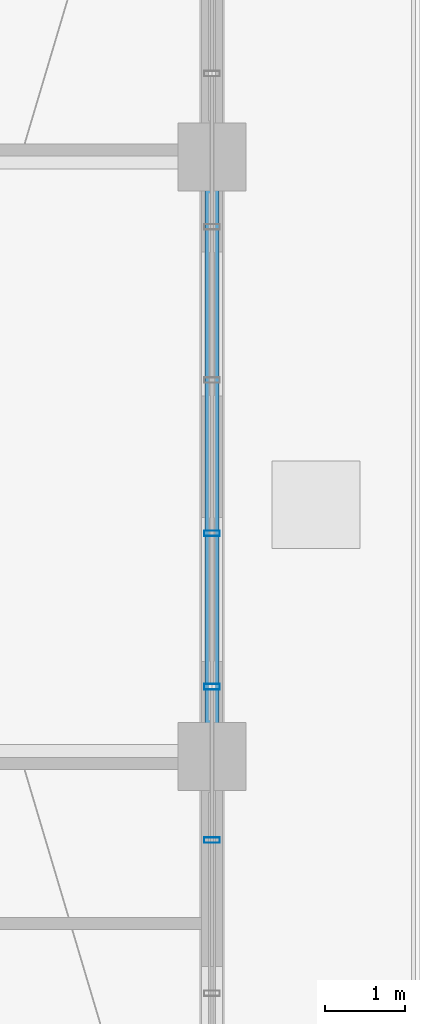
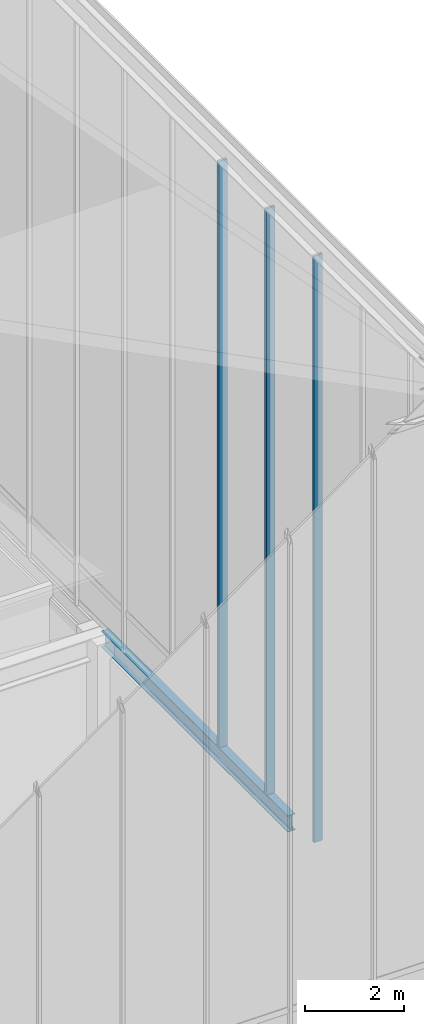
# One storey, part 33 of 49: 3 members, 1 beam, 1 element without a shape of its own.
"""IFC4 building model written with IfcOpenShell, lengths in metres."""

from ifc_helpers import new_model, si_unit, direction, frame, origin, origin_2d, place, context, subcontext, project, spatial, hollow_rectangle, i_section, extrude, source, transform, mapped, material, layer, layer_set, material_profile, profile_set, type_object, element, aggregate, save


model = new_model("IFC4")

# Units and contexts
model_context = context("Model", 3, precision=1e-05, world=origin(), true_north=direction((0.0, 1.0)))
body_context = subcontext(model_context, "Body", "Model", "MODEL_VIEW")
ifc_project = project(units=[si_unit("LENGTHUNIT", "METRE"), si_unit("AREAUNIT", "SQUARE_METRE"), si_unit("VOLUMEUNIT", "CUBIC_METRE"), si_unit("PLANEANGLEUNIT", "RADIAN"), si_unit("MASSUNIT", "GRAM", prefix="KILO")], contexts=[model_context])

# Site, building, storey
site_placement = place(None, origin())
site = spatial("IfcSite", under=ifc_project, at=site_placement, CompositionType="ELEMENT")
building_placement = place(site_placement, origin())
building = spatial("IfcBuilding", under=site, at=building_placement, Name="Kaliganga Portal Commons", CompositionType="ELEMENT")
storey_placement = place(building_placement, frame((0.0, 0.0, 298.0)))
storey = spatial("IfcBuildingStorey", under=building, at=storey_placement, Name="L77", CompositionType="ELEMENT", Elevation=298.0)

# Beam
ifc_material_1 = material(Name="Structural steel S355J2", Category="steel")
ifc_material_profile_1 = material_profile(ifc_material_1, i_section(OverallWidth=0.179931640625, OverallDepth=0.39990234375, WebThickness=0.008544921875, FlangeThickness=0.013427734375, FilletRadius=0.02099609375, at=origin_2d()), Name="IPE 400")
ifc_profile_set_1 = profile_set([ifc_material_profile_1], Name="Structural steel S355J2 wide-flange")
beam_type = type_object("IfcBeamType", Name="BM-FLR-400", PredefinedType="BEAM", material=ifc_profile_set_1)
shared_shape_1 = source(origin(), body_context, "Body", "SweptSolid", [
    extrude(i_section(OverallWidth=0.179931640625, OverallDepth=0.39990234375, WebThickness=0.008544921875, FlangeThickness=0.013427734375, FilletRadius=0.02099609375, at=origin_2d()), origin(), (0.0, 0.0, 1.0), 7.5),
])
beam_placement = place(storey_placement, frame((46.800048828125, 28.64990234375, 5.800048828125), z_axis=(0.0, 1.0, 0.0), x_axis=(-1.0, 0.0, 0.0)))
element("IfcBeam", 1, at=beam_placement, inside=storey, type_object=beam_type, Name="BM G L77 AM468", PredefinedType="BEAM", context=body_context, shape_type="MappedRepresentation", body=[
    mapped(shared_shape_1, transform((0.0, 0.0, 0.0), x_axis=(1.0, 0.0, 0.0), y_axis=(0.0, 1.0, 0.0), z_axis=(0.0, 0.0, 1.0), scale=1.0)),
])

# Curtain wall, members
ifc_material_2 = material(Name="Anodized Aluminium and Laminated Low-E Glass", Category="aluminium")
ifc_layer = layer(ifc_material_2, 0.25)
ifc_layer_set = layer_set([ifc_layer], Name="Anodized Aluminium and Laminated Low-E Glass")
curtain_wall_type = type_object("IfcCurtainWallType", Name="CW-SYS-06", PredefinedType="NOTDEFINED", material=ifc_layer_set)
curtain_wall_placement = place(storey_placement, origin())
curtain_wall = element("IfcCurtainWall", 2, at=curtain_wall_placement, inside=storey, type_object=curtain_wall_type, Name="CW 06 L77 E", PredefinedType="NOTDEFINED")
ifc_material_3 = material(Name="Dark Bronze Anodized Aluminium", Category="aluminium")
ifc_material_profile_2 = material_profile(ifc_material_3, hollow_rectangle(XDim=0.070068359375, YDim=0.199951171875, WallThickness=0.00390625, at=origin_2d()), Name="ALU MULL 70x200x4")
ifc_profile_set_2 = profile_set([ifc_material_profile_2], Name="Dark Bronze Anodized Aluminium")
member_type = type_object("IfcMemberType", Name="CW-MUL-220", PredefinedType="MULLION", material=ifc_profile_set_2)
shared_shape_2 = source(origin(), body_context, "Body", "SweptSolid", [
    extrude(hollow_rectangle(XDim=0.070068359375, YDim=0.199951171875, WallThickness=0.00390625, at=origin_2d()), origin(), (0.0, 0.0, 1.0), 14.39990234375),
])
member_1_placement = place(storey_placement, frame((46.800048828125, 27.6044921875, 6.0), z_axis=(0.0, 0.0, 1.0), x_axis=(0.0, 1.0, 0.0)))
member_1 = element("IfcMember", 3, at=member_1_placement, type_object=member_type, Name="CW:06:L77:E Mullion 03", PredefinedType="MULLION", context=body_context, shape_type="MappedRepresentation", body=[
    mapped(shared_shape_2, transform((0.0, 0.0, 0.0), x_axis=(1.0, 0.0, 0.0), y_axis=(0.0, 1.0, 0.0), z_axis=(0.0, 0.0, 1.0), scale=1.0)),
])
member_2_placement = place(storey_placement, frame((46.800048828125, 29.522705078125, 6.0), z_axis=(0.0, 0.0, 1.0), x_axis=(0.0, 1.0, 0.0)))
member_2 = element("IfcMember", 4, at=member_2_placement, type_object=member_type, Name="CW:06:L77:E Mullion 04", PredefinedType="MULLION", context=body_context, shape_type="MappedRepresentation", body=[
    mapped(shared_shape_2, transform((0.0, 0.0, 0.0), x_axis=(1.0, 0.0, 0.0), y_axis=(0.0, 1.0, 0.0), z_axis=(0.0, 0.0, 1.0), scale=1.0)),
])
member_3_placement = place(storey_placement, frame((46.800048828125, 31.44091796875, 6.0), z_axis=(0.0, 0.0, 1.0), x_axis=(0.0, 1.0, 0.0)))
member_3 = element("IfcMember", 5, at=member_3_placement, type_object=member_type, Name="CW:06:L77:E Mullion 05", PredefinedType="MULLION", context=body_context, shape_type="MappedRepresentation", body=[
    mapped(shared_shape_2, transform((0.0, 0.0, 0.0), x_axis=(1.0, 0.0, 0.0), y_axis=(0.0, 1.0, 0.0), z_axis=(0.0, 0.0, 1.0), scale=1.0)),
])
aggregate(curtain_wall, [member_1, member_2, member_3])

save(model, "model.ifc")
